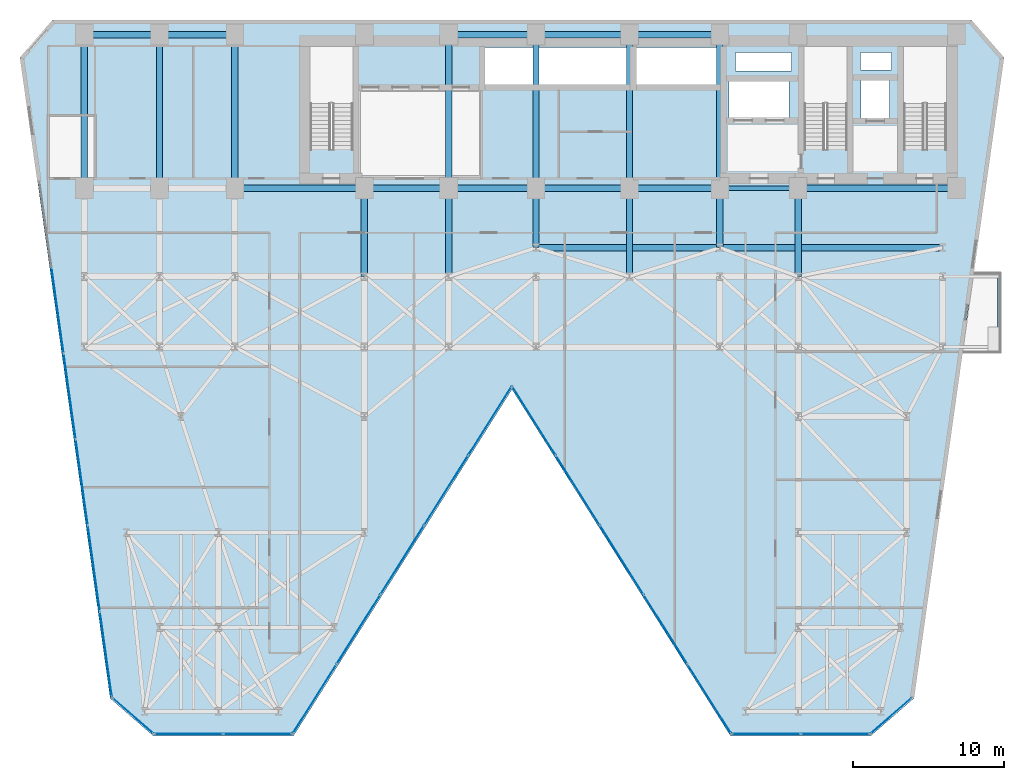
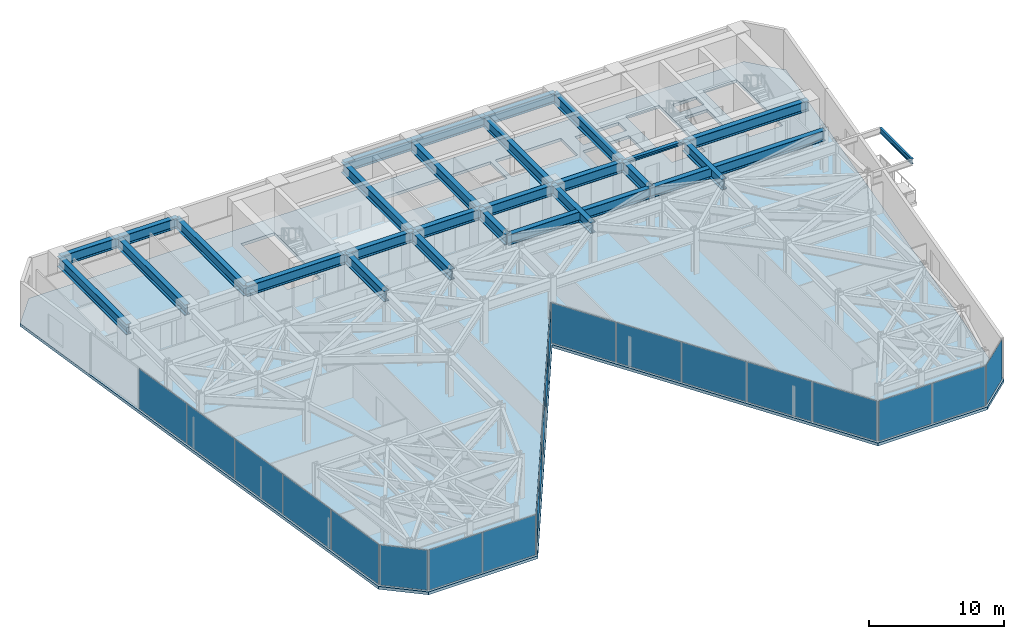
# One storey, part 18 of 24: 28 beams, 21 plates, 1 slab, 7 elements without a shape of their own.
"""IFC4 building model written with IfcOpenShell, lengths in metres."""

from ifc_helpers import new_model, si_unit, direction, frame, origin, origin_2d, place, context, subcontext, project, spatial, polyline, rectangle, i_section, outline, extrude, material, layer, layer_set, material_profile, profile_set, type_object, element, aggregate, save


model = new_model("IFC4")

# Units and contexts
model_context = context("Model", 3, precision=1e-05, world=origin(), true_north=direction((0.0, 1.0)))
body_context = subcontext(model_context, "Body", "Model", "MODEL_VIEW")
ifc_project = project(units=[si_unit("LENGTHUNIT", "METRE"), si_unit("AREAUNIT", "SQUARE_METRE"), si_unit("VOLUMEUNIT", "CUBIC_METRE"), si_unit("PLANEANGLEUNIT", "RADIAN"), si_unit("MASSUNIT", "GRAM", prefix="KILO")], contexts=[model_context])

# Site, building, storey
site_placement = place(None, origin())
site = spatial("IfcSite", under=ifc_project, at=site_placement, CompositionType="ELEMENT")
building_placement = place(site_placement, origin())
building = spatial("IfcBuilding", under=site, at=building_placement, Name="Kravanh Interchange Tower", CompositionType="ELEMENT")
storey_placement = place(building_placement, frame((0.0, 0.0, 53.5)))
storey = spatial("IfcBuildingStorey", under=building, at=storey_placement, Name="L12", CompositionType="ELEMENT", Elevation=53.5)

# Beams
ifc_material_1 = material(Name="Structural Steel S355", Category="steel")
ifc_material_profile_1 = material_profile(ifc_material_1, i_section(OverallWidth=0.41796875, OverallDepth=0.927001953125, WebThickness=0.019287109375, FlangeThickness=0.031982421875, FilletRadius=0.028076171875, at=origin_2d()), Name="W36X231")
ifc_profile_set_1 = profile_set([ifc_material_profile_1], Name="Structural Steel S355")
beam_type_1 = type_object("IfcBeamType", Name="Floor Beam W36X231 Structural Steel S355", PredefinedType="BEAM", material=ifc_profile_set_1)
beam_1_placement = place(storey_placement, frame((66.5, 37.35009765625, 3.276611328125), z_axis=(-1.0, 0.0, 0.0), x_axis=(0.0, -1.0, 0.0)))
element("IfcBeam", 1, at=beam_1_placement, inside=storey, type_object=beam_type_1, Name="L12 Primary Floor Girder 5", PredefinedType="BEAM", context=body_context, shape_type="SweptSolid", body=[
    extrude(i_section(OverallWidth=0.41796875, OverallDepth=0.927001953125, WebThickness=0.019287109375, FlangeThickness=0.031982421875, FilletRadius=0.028076171875, at=origin_2d()), origin(), (0.0, 0.0, 1.0), 10.5),
])
beam_2_placement = place(storey_placement, frame((56.0, 37.35009765625, 3.276611328125), z_axis=(0.0, -1.0, 0.0), x_axis=(1.0, 0.0, 0.0)))
element("IfcBeam", 2, at=beam_2_placement, inside=storey, type_object=beam_type_1, Name="L12 Primary Floor Girder 7", PredefinedType="BEAM", context=body_context, shape_type="SweptSolid", body=[
    extrude(i_section(OverallWidth=0.41796875, OverallDepth=0.927001953125, WebThickness=0.019287109375, FlangeThickness=0.031982421875, FilletRadius=0.028076171875, at=origin_2d()), origin(), (0.0, 0.0, 1.0), 5.85009765625),
])
beam_3_placement = place(storey_placement, frame((50.800048828125, 47.550048828125, 3.276611328125), z_axis=(-1.0, 0.0, 0.0), x_axis=(0.0, -1.0, 0.0)))
element("IfcBeam", 3, at=beam_3_placement, inside=storey, type_object=beam_type_1, Name="L12 Primary Floor Girder 8", PredefinedType="BEAM", context=body_context, shape_type="SweptSolid", body=[
    extrude(i_section(OverallWidth=0.41796875, OverallDepth=0.927001953125, WebThickness=0.019287109375, FlangeThickness=0.031982421875, FilletRadius=0.028076171875, at=origin_2d()), origin(), (0.0, 0.0, 1.0), 6.0),
])
beam_4_placement = place(storey_placement, frame((50.800048828125, 47.550048828125, 3.276611328125), z_axis=(0.0, -1.0, 0.0), x_axis=(1.0, 0.0, 0.0)))
element("IfcBeam", 4, at=beam_4_placement, inside=storey, type_object=beam_type_1, Name="L12 Primary Floor Girder 9", PredefinedType="BEAM", context=body_context, shape_type="SweptSolid", body=[
    extrude(i_section(OverallWidth=0.41796875, OverallDepth=0.927001953125, WebThickness=0.019287109375, FlangeThickness=0.031982421875, FilletRadius=0.028076171875, at=origin_2d()), origin(), (0.0, 0.0, 1.0), 10.199951171875),
])
beam_5_placement = place(storey_placement, frame((50.800048828125, 37.35009765625, 3.276611328125), z_axis=(0.0, -1.0, 0.0), x_axis=(1.0, 0.0, 0.0)))
element("IfcBeam", 5, at=beam_5_placement, inside=storey, type_object=beam_type_1, Name="L12 Primary Floor Girder 10", PredefinedType="BEAM", context=body_context, shape_type="SweptSolid", body=[
    extrude(i_section(OverallWidth=0.41796875, OverallDepth=0.927001953125, WebThickness=0.019287109375, FlangeThickness=0.031982421875, FilletRadius=0.028076171875, at=origin_2d()), origin(), (0.0, 0.0, 1.0), 3.9501953125),
])
beam_6_placement = place(storey_placement, frame((50.800048828125, 37.35009765625, 3.276611328125), z_axis=(-1.0, 0.0, 0.0), x_axis=(0.0, -1.0, 0.0)))
element("IfcBeam", 6, at=beam_6_placement, inside=storey, type_object=beam_type_1, Name="L12 Primary Floor Girder 11", PredefinedType="BEAM", context=body_context, shape_type="SweptSolid", body=[
    extrude(i_section(OverallWidth=0.41796875, OverallDepth=0.927001953125, WebThickness=0.019287109375, FlangeThickness=0.031982421875, FilletRadius=0.028076171875, at=origin_2d()), origin(), (0.0, 0.0, 1.0), 6.0),
])
beam_7_placement = place(storey_placement, frame((44.800048828125, 37.35009765625, 3.276611328125), z_axis=(0.0, -1.0, 0.0), x_axis=(1.0, 0.0, 0.0)))
element("IfcBeam", 7, at=beam_7_placement, inside=storey, type_object=beam_type_1, Name="L12 Primary Floor Girder 12", PredefinedType="BEAM", context=body_context, shape_type="SweptSolid", body=[
    extrude(i_section(OverallWidth=0.41796875, OverallDepth=0.927001953125, WebThickness=0.019287109375, FlangeThickness=0.031982421875, FilletRadius=0.028076171875, at=origin_2d()), origin(), (0.0, 0.0, 1.0), 5.85009765625),
])
beam_8_placement = place(storey_placement, frame((44.800048828125, 37.35009765625, 3.276611328125), z_axis=(-1.0, 0.0, 0.0), x_axis=(0.0, -1.0, 0.0)))
element("IfcBeam", 8, at=beam_8_placement, inside=storey, type_object=beam_type_1, Name="L12 Primary Floor Girder 13", PredefinedType="BEAM", context=body_context, shape_type="SweptSolid", body=[
    extrude(i_section(OverallWidth=0.41796875, OverallDepth=0.927001953125, WebThickness=0.019287109375, FlangeThickness=0.031982421875, FilletRadius=0.028076171875, at=origin_2d()), origin(), (0.0, 0.0, 1.0), 6.199951171875),
])
beam_9_placement = place(storey_placement, frame((44.800048828125, 37.35009765625, 3.276611328125), z_axis=(0.0, 1.0, 0.0), x_axis=(-1.0, 0.0, 0.0)))
element("IfcBeam", 9, at=beam_9_placement, inside=storey, type_object=beam_type_1, Name="L12 Primary Floor Girder 14", PredefinedType="BEAM", context=body_context, shape_type="SweptSolid", body=[
    extrude(i_section(OverallWidth=0.41796875, OverallDepth=0.927001953125, WebThickness=0.019287109375, FlangeThickness=0.031982421875, FilletRadius=0.028076171875, at=origin_2d()), origin(), (0.0, 0.0, 1.0), 10.199951171875),
])
beam_10_placement = place(storey_placement, frame((44.800048828125, 47.550048828125, 3.276611328125), z_axis=(-1.0, 0.0, 0.0), x_axis=(0.0, -1.0, 0.0)))
element("IfcBeam", 10, at=beam_10_placement, inside=storey, type_object=beam_type_1, Name="L12 Primary Floor Girder 15", PredefinedType="BEAM", context=body_context, shape_type="SweptSolid", body=[
    extrude(i_section(OverallWidth=0.41796875, OverallDepth=0.927001953125, WebThickness=0.019287109375, FlangeThickness=0.031982421875, FilletRadius=0.028076171875, at=origin_2d()), origin(), (0.0, 0.0, 1.0), 6.199951171875),
])
beam_11_placement = place(storey_placement, frame((38.60009765625, 37.35009765625, 3.276611328125), z_axis=(0.0, -1.0, 0.0), x_axis=(1.0, 0.0, 0.0)))
element("IfcBeam", 11, at=beam_11_placement, inside=storey, type_object=beam_type_1, Name="L12 Primary Floor Girder 16", PredefinedType="BEAM", context=body_context, shape_type="SweptSolid", body=[
    extrude(i_section(OverallWidth=0.41796875, OverallDepth=0.927001953125, WebThickness=0.019287109375, FlangeThickness=0.031982421875, FilletRadius=0.028076171875, at=origin_2d()), origin(), (0.0, 0.0, 1.0), 3.9501953125),
])
beam_12_placement = place(storey_placement, frame((38.60009765625, 37.35009765625, 3.276611328125), z_axis=(-1.0, 0.0, 0.0), x_axis=(0.0, -1.0, 0.0)))
element("IfcBeam", 12, at=beam_12_placement, inside=storey, type_object=beam_type_1, Name="L12 Primary Floor Girder 17", PredefinedType="BEAM", context=body_context, shape_type="SweptSolid", body=[
    extrude(i_section(OverallWidth=0.41796875, OverallDepth=0.927001953125, WebThickness=0.019287109375, FlangeThickness=0.031982421875, FilletRadius=0.028076171875, at=origin_2d()), origin(), (0.0, 0.0, 1.0), 5.800048828125),
])
beam_13_placement = place(storey_placement, frame((38.60009765625, 37.35009765625, 3.276611328125), z_axis=(0.0, 1.0, 0.0), x_axis=(-1.0, 0.0, 0.0)))
element("IfcBeam", 13, at=beam_13_placement, inside=storey, type_object=beam_type_1, Name="L12 Primary Floor Girder 18", PredefinedType="BEAM", context=body_context, shape_type="SweptSolid", body=[
    extrude(i_section(OverallWidth=0.41796875, OverallDepth=0.927001953125, WebThickness=0.019287109375, FlangeThickness=0.031982421875, FilletRadius=0.028076171875, at=origin_2d()), origin(), (0.0, 0.0, 1.0), 10.199951171875),
])
beam_14_placement = place(storey_placement, frame((38.60009765625, 47.550048828125, 3.276611328125), z_axis=(-1.0, 0.0, 0.0), x_axis=(0.0, -1.0, 0.0)))
element("IfcBeam", 14, at=beam_14_placement, inside=storey, type_object=beam_type_1, Name="L12 Primary Floor Girder 19", PredefinedType="BEAM", context=body_context, shape_type="SweptSolid", body=[
    extrude(i_section(OverallWidth=0.41796875, OverallDepth=0.927001953125, WebThickness=0.019287109375, FlangeThickness=0.031982421875, FilletRadius=0.028076171875, at=origin_2d()), origin(), (0.0, 0.0, 1.0), 5.800048828125),
])
beam_15_placement = place(storey_placement, frame((32.800048828125, 37.35009765625, 3.276611328125), z_axis=(-1.0, 0.0, 0.0), x_axis=(0.0, -1.0, 0.0)))
element("IfcBeam", 15, at=beam_15_placement, inside=storey, type_object=beam_type_1, Name="L12 Primary Floor Girder 20", PredefinedType="BEAM", context=body_context, shape_type="SweptSolid", body=[
    extrude(i_section(OverallWidth=0.41796875, OverallDepth=0.927001953125, WebThickness=0.019287109375, FlangeThickness=0.031982421875, FilletRadius=0.028076171875, at=origin_2d()), origin(), (0.0, 0.0, 1.0), 5.60009765625),
])
beam_16_placement = place(storey_placement, frame((32.800048828125, 37.35009765625, 3.276611328125), z_axis=(0.0, -1.0, 0.0), x_axis=(1.0, 0.0, 0.0)))
element("IfcBeam", 16, at=beam_16_placement, inside=storey, type_object=beam_type_1, Name="L12 Primary Floor Girder 21", PredefinedType="BEAM", context=body_context, shape_type="SweptSolid", body=[
    extrude(i_section(OverallWidth=0.41796875, OverallDepth=0.927001953125, WebThickness=0.019287109375, FlangeThickness=0.031982421875, FilletRadius=0.028076171875, at=origin_2d()), origin(), (0.0, 0.0, 1.0), 5.85009765625),
])
beam_17_placement = place(storey_placement, frame((32.800048828125, 37.35009765625, 3.276611328125), z_axis=(0.0, 1.0, 0.0), x_axis=(-1.0, 0.0, 0.0)))
element("IfcBeam", 17, at=beam_17_placement, inside=storey, type_object=beam_type_1, Name="L12 Primary Floor Girder 22", PredefinedType="BEAM", context=body_context, shape_type="SweptSolid", body=[
    extrude(i_section(OverallWidth=0.41796875, OverallDepth=0.927001953125, WebThickness=0.019287109375, FlangeThickness=0.031982421875, FilletRadius=0.028076171875, at=origin_2d()), origin(), (0.0, 0.0, 1.0), 10.199951171875),
])
beam_18_placement = place(storey_placement, frame((27.199951171875, 37.35009765625, 3.276611328125), z_axis=(0.0, -1.0, 0.0), x_axis=(1.0, 0.0, 0.0)))
element("IfcBeam", 18, at=beam_18_placement, inside=storey, type_object=beam_type_1, Name="L12 Primary Floor Girder 24", PredefinedType="BEAM", context=body_context, shape_type="SweptSolid", body=[
    extrude(i_section(OverallWidth=0.41796875, OverallDepth=0.927001953125, WebThickness=0.019287109375, FlangeThickness=0.031982421875, FilletRadius=0.028076171875, at=origin_2d()), origin(), (0.0, 0.0, 1.0), 5.85009765625),
])
beam_19_placement = place(storey_placement, frame((27.199951171875, 37.35009765625, 3.276611328125), z_axis=(-1.0, 0.0, 0.0), x_axis=(0.0, -1.0, 0.0)))
element("IfcBeam", 19, at=beam_19_placement, inside=storey, type_object=beam_type_1, Name="L12 Primary Floor Girder 25", PredefinedType="BEAM", context=body_context, shape_type="SweptSolid", body=[
    extrude(i_section(OverallWidth=0.41796875, OverallDepth=0.927001953125, WebThickness=0.019287109375, FlangeThickness=0.031982421875, FilletRadius=0.028076171875, at=origin_2d()), origin(), (0.0, 0.0, 1.0), 8.599853515625),
])
beam_20_placement = place(storey_placement, frame((18.60009765625, 37.35009765625, 3.276611328125), z_axis=(0.0, 1.0, 0.0), x_axis=(-1.0, 0.0, 0.0)))
element("IfcBeam", 20, at=beam_20_placement, inside=storey, type_object=beam_type_1, Name="L12 Primary Floor Girder 30", PredefinedType="BEAM", context=body_context, shape_type="SweptSolid", body=[
    extrude(i_section(OverallWidth=0.41796875, OverallDepth=0.927001953125, WebThickness=0.019287109375, FlangeThickness=0.031982421875, FilletRadius=0.028076171875, at=origin_2d()), origin(), (0.0, 0.0, 1.0), 10.199951171875),
])
beam_21_placement = place(storey_placement, frame((18.60009765625, 47.550048828125, 3.276611328125), z_axis=(-1.0, 0.0, 0.0), x_axis=(0.0, -1.0, 0.0)))
element("IfcBeam", 21, at=beam_21_placement, inside=storey, type_object=beam_type_1, Name="L12 Primary Floor Girder 31", PredefinedType="BEAM", context=body_context, shape_type="SweptSolid", body=[
    extrude(i_section(OverallWidth=0.41796875, OverallDepth=0.927001953125, WebThickness=0.019287109375, FlangeThickness=0.031982421875, FilletRadius=0.028076171875, at=origin_2d()), origin(), (0.0, 0.0, 1.0), 5.0),
])
beam_22_placement = place(storey_placement, frame((13.60009765625, 37.35009765625, 3.276611328125), z_axis=(0.0, 1.0, 0.0), x_axis=(-1.0, 0.0, 0.0)))
element("IfcBeam", 22, at=beam_22_placement, inside=storey, type_object=beam_type_1, Name="L12 Primary Floor Girder 34", PredefinedType="BEAM", context=body_context, shape_type="SweptSolid", body=[
    extrude(i_section(OverallWidth=0.41796875, OverallDepth=0.927001953125, WebThickness=0.019287109375, FlangeThickness=0.031982421875, FilletRadius=0.028076171875, at=origin_2d()), origin(), (0.0, 0.0, 1.0), 10.199951171875),
])
beam_23_placement = place(storey_placement, frame((13.60009765625, 47.550048828125, 3.276611328125), z_axis=(-1.0, 0.0, 0.0), x_axis=(0.0, -1.0, 0.0)))
element("IfcBeam", 23, at=beam_23_placement, inside=storey, type_object=beam_type_1, Name="L12 Primary Floor Girder 35", PredefinedType="BEAM", context=body_context, shape_type="SweptSolid", body=[
    extrude(i_section(OverallWidth=0.41796875, OverallDepth=0.927001953125, WebThickness=0.019287109375, FlangeThickness=0.031982421875, FilletRadius=0.028076171875, at=origin_2d()), origin(), (0.0, 0.0, 1.0), 5.0),
])
beam_24_placement = place(storey_placement, frame((8.60009765625, 37.35009765625, 3.276611328125), z_axis=(0.0, 1.0, 0.0), x_axis=(-1.0, 0.0, 0.0)))
element("IfcBeam", 24, at=beam_24_placement, inside=storey, type_object=beam_type_1, Name="L12 Primary Floor Girder 37", PredefinedType="BEAM", context=body_context, shape_type="SweptSolid", body=[
    extrude(i_section(OverallWidth=0.41796875, OverallDepth=0.927001953125, WebThickness=0.019287109375, FlangeThickness=0.031982421875, FilletRadius=0.028076171875, at=origin_2d()), origin(), (0.0, 0.0, 1.0), 10.199951171875),
])
beam_25_placement = place(storey_placement, frame((38.60009765625, 33.39990234375, 3.276611328125), z_axis=(1.0, 0.0, 0.0), x_axis=(0.0, 1.0, 0.0)))
element("IfcBeam", 25, at=beam_25_placement, inside=storey, type_object=beam_type_1, Name="L12 Primary Floor Girder 145", PredefinedType="BEAM", context=body_context, shape_type="SweptSolid", body=[
    extrude(i_section(OverallWidth=0.41796875, OverallDepth=0.927001953125, WebThickness=0.019287109375, FlangeThickness=0.031982421875, FilletRadius=0.028076171875, at=origin_2d()), origin(), (0.0, 0.0, 1.0), 12.199951171875),
])
beam_26_placement = place(storey_placement, frame((50.800048828125, 33.39990234375, 3.276611328125), z_axis=(1.0, 0.0, 0.0), x_axis=(0.0, 1.0, 0.0)))
element("IfcBeam", 26, at=beam_26_placement, inside=storey, type_object=beam_type_1, Name="L12 Primary Floor Girder 146", PredefinedType="BEAM", context=body_context, shape_type="SweptSolid", body=[
    extrude(i_section(OverallWidth=0.41796875, OverallDepth=0.927001953125, WebThickness=0.019287109375, FlangeThickness=0.031982421875, FilletRadius=0.028076171875, at=origin_2d()), origin(), (0.0, 0.0, 1.0), 14.800048828125),
])
ifc_material_2 = material(Name="Structural Steel S355", Category="steel")
ifc_material_profile_2 = material_profile(ifc_material_2, i_section(OverallWidth=0.18994140625, OverallDepth=0.45703125, WebThickness=0.009033203125, FlangeThickness=0.014404296875, FilletRadius=0.01806640625, at=origin_2d()), Name="W18X50")
ifc_profile_set_2 = profile_set([ifc_material_profile_2], Name="Structural Steel S355")
beam_type_2 = type_object("IfcBeamType", Name="Floor Joist W18X50 Structural Steel S355", PredefinedType="JOIST", material=ifc_profile_set_2)
beam_27_placement = place(storey_placement, frame((69.330078125, 26.800048828125, 3.511474609375), z_axis=(0.0, 1.0, 0.0), x_axis=(-1.0, 0.0, 0.0)))
element("IfcBeam", 27, at=beam_27_placement, inside=storey, type_object=beam_type_2, Name="L12 Balcony Edge Tie Beam E", PredefinedType="JOIST", context=body_context, shape_type="SweptSolid", body=[
    extrude(i_section(OverallWidth=0.18994140625, OverallDepth=0.45703125, WebThickness=0.009033203125, FlangeThickness=0.014404296875, FilletRadius=0.01806640625, at=origin_2d()), origin(), (0.0, 0.0, 1.0), 4.699951171875),
])
ifc_material_3 = material(Name="Structural Steel S355", Category="steel")
ifc_material_profile_3 = material_profile(ifc_material_3, i_section(OverallWidth=0.304931640625, OverallDepth=0.306884765625, WebThickness=0.010009765625, FlangeThickness=0.015380859375, FilletRadius=0.014892578125, at=origin_2d()), Name="W12X65")
ifc_profile_set_3 = profile_set([ifc_material_profile_3], Name="Structural Steel S355")
beam_type_3 = type_object("IfcBeamType", Name="Floor Lintel W12X65 Structural Steel S355", PredefinedType="LINTEL", material=ifc_profile_set_3)
beam_28_placement = place(storey_placement, frame((50.800048828125, 37.35009765625, 3.58642578125), z_axis=(1.0, 0.0, 0.0), x_axis=(0.0, 1.0, 0.0)))
element("IfcBeam", 28, at=beam_28_placement, inside=storey, type_object=beam_type_3, Name="L12 Core Coupling Lintel 1", PredefinedType="LINTEL", context=body_context, shape_type="SweptSolid", body=[
    extrude(i_section(OverallWidth=0.304931640625, OverallDepth=0.306884765625, WebThickness=0.010009765625, FlangeThickness=0.015380859375, FilletRadius=0.014892578125, at=origin_2d()), origin(), (0.0, 0.0, 1.0), 5.199951171875),
])

# Slab
ifc_material_4 = material(Name="Concrete C50/60", Category="concrete")
ifc_layer_1 = layer(ifc_material_4, 0.260009765625)
ifc_layer_set_1 = layer_set([ifc_layer_1], Name="Composite Floor Slab Concrete C50/60 260mm")
slab_type = type_object("IfcSlabType", Name="Composite Floor Slab Concrete C50/60 260mm", PredefinedType="FLOOR", material=ifc_layer_set_1)
slab_placement = place(storey_placement, frame((0.0, 0.0, -0.260009765625)))
element("IfcSlab", 29, at=slab_placement, inside=storey, type_object=slab_type, Name="L12 Structural Floor Slab", PredefinedType="FLOOR", context=body_context, shape_type="SweptSolid", body=[
    extrude(outline(polyline([(10.327880859375, 3.4755859375), (13.17578125, 1.0), (22.5, 1.0), (37.0, 24.0), (51.5, 1.0), (60.82421875, 1.0), (63.672119140625, 3.4755859375), (69.652099609375, 46.0244140625), (67.5, 48.5), (6.5, 48.5), (4.347900390625, 46.0244140625), (10.327880859375, 3.4755859375)]), holes=[polyline([(65.85009765625, 39.925048828125), (65.85009765625, 46.75), (63.0, 46.75), (63.0, 39.925048828125), (65.85009765625, 39.925048828125)]), polyline([(59.25, 39.925048828125), (59.25, 46.75), (56.39990234375, 46.75), (56.39990234375, 39.925048828125), (59.25, 39.925048828125)]), polyline([(26.449951171875, 39.925048828125), (26.449951171875, 46.75), (23.60009765625, 46.75), (23.60009765625, 39.925048828125), (26.449951171875, 39.925048828125)]), polyline([(35.179931640625, 44.219970703125), (44.840087890625, 44.219970703125), (44.840087890625, 46.699951171875), (35.179931640625, 46.699951171875), (35.179931640625, 44.219970703125)]), polyline([(45.239990234375, 44.219970703125), (50.840087890625, 44.219970703125), (50.840087890625, 46.699951171875), (45.239990234375, 46.699951171875), (45.239990234375, 44.219970703125)]), polyline([(51.419921875, 42.02001953125), (55.3798828125, 42.02001953125), (55.3798828125, 44.47998046875), (51.419921875, 44.47998046875), (51.419921875, 42.02001953125)]), polyline([(60.179931640625, 41.97998046875), (62.06005859375, 41.97998046875), (62.06005859375, 44.52001953125), (60.179931640625, 44.52001953125), (60.179931640625, 41.97998046875)]), polyline([(60.14990234375, 45.199951171875), (62.199951171875, 45.199951171875), (62.199951171875, 46.35009765625), (60.14990234375, 46.35009765625), (60.14990234375, 45.199951171875)]), polyline([(51.85009765625, 45.14990234375), (55.550048828125, 45.14990234375), (55.550048828125, 46.35009765625), (51.85009765625, 46.35009765625), (51.85009765625, 45.14990234375)])]), origin(), (0.0, 0.0, 1.0), 0.260009765625),
])

# Curtain wall, plates
ifc_material_5 = material(Name="Anodised Bronze Aluminium", Category="aluminium")
ifc_layer_2 = layer(ifc_material_5, 0.179931640625)
ifc_layer_set_2 = layer_set([ifc_layer_2], Name="Unitised Curtain Wall System CW-Z1 Lower Office")
curtain_wall_type = type_object("IfcCurtainWallType", Name="Unitised Curtain Wall System CW-Z1 Lower Office", PredefinedType="NOTDEFINED", material=ifc_layer_set_2)
curtain_wall_1_placement = place(storey_placement, origin())
curtain_wall_1 = element("IfcCurtainWall", 30, at=curtain_wall_1_placement, inside=storey, type_object=curtain_wall_type, Name="L12 Unitised Curtain Wall CW-L12-01", PredefinedType="NOTDEFINED")
ifc_material_6 = material(Name="Low-E Laminated Architectural Glass", Category="glass")
ifc_layer_3 = layer(ifc_material_6, 0.028076171875)
ifc_layer_set_3 = layer_set([ifc_layer_3], Name="Solar-Control Double Glazing 28mm")
plate_type = type_object("IfcPlateType", Name="Solar-Control Double Glazing 28mm", PredefinedType="CURTAIN_PANEL", material=ifc_layer_set_3)
plate_1_placement = place(storey_placement, frame((10.03662109375, 6.409423828125, 0.06005859375), z_axis=(0.0, 0.0, 1.0), x_axis=(-0.139176538065, 0.990267585682, 0.0)))
plate_1 = element("IfcPlate", 31, at=plate_1_placement, type_object=plate_type, Name="CW-Z1 panel 1.1", PredefinedType="CURTAIN_PANEL", context=body_context, shape_type="SweptSolid", body=[
    extrude(rectangle(XDim=5.66162109375, YDim=0.028076171875, at=origin_2d()), origin(), (0.0, 0.0, 1.0), 3.6201171875),
])
plate_2_placement = place(storey_placement, frame((9.236572265625, 12.1025390625, 0.06005859375), z_axis=(0.0, 0.0, 1.0), x_axis=(-0.139176538065, 0.990267585682, 0.0)))
plate_2 = element("IfcPlate", 32, at=plate_2_placement, type_object=plate_type, Name="CW-Z1 panel 2.1", PredefinedType="CURTAIN_PANEL", context=body_context, shape_type="SweptSolid", body=[
    extrude(rectangle(XDim=5.69677734375, YDim=0.028076171875, at=origin_2d()), origin(), (0.0, 0.0, 1.0), 3.6201171875),
])
plate_3_placement = place(storey_placement, frame((8.433837890625, 17.813232421875, 0.06005859375), z_axis=(0.0, 0.0, 1.0), x_axis=(-0.139176538065, 0.990267585682, 0.0)))
plate_3 = element("IfcPlate", 33, at=plate_3_placement, type_object=plate_type, Name="CW-Z1 panel 3.1", PredefinedType="CURTAIN_PANEL", context=body_context, shape_type="SweptSolid", body=[
    extrude(rectangle(XDim=5.69677734375, YDim=0.028076171875, at=origin_2d()), origin(), (0.0, 0.0, 1.0), 3.6201171875),
])
plate_4_placement = place(storey_placement, frame((7.63134765625, 23.523681640625, 0.06005859375), z_axis=(0.0, 0.0, 1.0), x_axis=(-0.139176538065, 0.990267585682, 0.0)))
plate_4 = element("IfcPlate", 34, at=plate_4_placement, type_object=plate_type, Name="CW-Z1 panel 4.1", PredefinedType="CURTAIN_PANEL", context=body_context, shape_type="SweptSolid", body=[
    extrude(rectangle(XDim=5.69677734375, YDim=0.028076171875, at=origin_2d()), origin(), (0.0, 0.0, 1.0), 3.6201171875),
])
plate_5_placement = place(storey_placement, frame((6.828857421875, 29.234130859375, 0.06005859375), z_axis=(0.0, 0.0, 1.0), x_axis=(-0.139176538065, 0.990267585682, 0.0)))
plate_5 = element("IfcPlate", 35, at=plate_5_placement, type_object=plate_type, Name="CW-Z1 panel 5.1", PredefinedType="CURTAIN_PANEL", context=body_context, shape_type="SweptSolid", body=[
    extrude(rectangle(XDim=5.69677734375, YDim=0.028076171875, at=origin_2d()), origin(), (0.0, 0.0, 1.0), 3.6201171875),
])
aggregate(curtain_wall_1, [plate_1, plate_2, plate_3, plate_4, plate_5])

# Curtain wall, plate
curtain_wall_2_placement = place(storey_placement, origin())
curtain_wall_2 = element("IfcCurtainWall", 36, at=curtain_wall_2_placement, inside=storey, type_object=curtain_wall_type, Name="L12 Unitised Curtain Wall CW-L12-02", PredefinedType="NOTDEFINED")
plate_6_placement = place(storey_placement, frame((62.16943359375, 2.328369140625, 0.06005859375), z_axis=(0.0, 0.0, 1.0), x_axis=(-0.754708368999, -0.656060422341, 0.0)))
plate_6 = element("IfcPlate", 37, at=plate_6_placement, type_object=plate_type, Name="CW-Z1 panel 1.1", PredefinedType="CURTAIN_PANEL", context=body_context, shape_type="SweptSolid", body=[
    extrude(rectangle(XDim=3.543701171875, YDim=0.028076171875, at=origin_2d()), origin(), (0.0, 0.0, 1.0), 3.6201171875),
])
aggregate(curtain_wall_2, [plate_6])

# Curtain wall, plates
curtain_wall_3_placement = place(storey_placement, origin())
curtain_wall_3 = element("IfcCurtainWall", 38, at=curtain_wall_3_placement, inside=storey, type_object=curtain_wall_type, Name="L12 Unitised Curtain Wall CW-L12-03", PredefinedType="NOTDEFINED")
plate_7_placement = place(storey_placement, frame((58.45849609375, 1.1201171875, 0.06005859375), z_axis=(0.0, 0.0, 1.0), x_axis=(-1.0, 0.0, 0.0)))
plate_7 = element("IfcPlate", 39, at=plate_7_placement, type_object=plate_type, Name="CW-Z1 panel 1.1", PredefinedType="CURTAIN_PANEL", context=body_context, shape_type="SweptSolid", body=[
    extrude(rectangle(XDim=4.501708984375, YDim=0.028076171875, at=origin_2d()), origin(), (0.0, 0.0, 1.0), 3.6201171875),
])
plate_8_placement = place(storey_placement, frame((53.886962890625, 1.1201171875, 0.06005859375), z_axis=(0.0, 0.0, 1.0), x_axis=(-1.0, 0.0, 0.0)))
plate_8 = element("IfcPlate", 40, at=plate_8_placement, type_object=plate_type, Name="CW-Z1 panel 2.1", PredefinedType="CURTAIN_PANEL", context=body_context, shape_type="SweptSolid", body=[
    extrude(rectangle(XDim=4.501708984375, YDim=0.028076171875, at=origin_2d()), origin(), (0.0, 0.0, 1.0), 3.6201171875),
])
aggregate(curtain_wall_3, [plate_7, plate_8])

curtain_wall_4_placement = place(storey_placement, origin())
curtain_wall_4 = element("IfcCurtainWall", 41, at=curtain_wall_4_placement, inside=storey, type_object=curtain_wall_type, Name="L12 Unitised Curtain Wall CW-L12-04", PredefinedType="NOTDEFINED")
plate_9_placement = place(storey_placement, frame((50.100341796875, 3.4453125, 0.06005859375), z_axis=(0.0, 0.0, 1.0), x_axis=(-0.53330103728, 0.845925530786, 0.0)))
plate_9 = element("IfcPlate", 42, at=plate_9_placement, type_object=plate_type, Name="CW-Z1 panel 1.1", PredefinedType="CURTAIN_PANEL", context=body_context, shape_type="SweptSolid", body=[
    extrude(rectangle(XDim=5.357666015625, YDim=0.028076171875, at=origin_2d()), origin(), (0.0, 0.0, 1.0), 3.6201171875),
])
plate_10_placement = place(storey_placement, frame((47.1962890625, 8.051513671875, 0.06005859375), z_axis=(0.0, 0.0, 1.0), x_axis=(-0.53330103728, 0.845925530786, 0.0)))
plate_10 = element("IfcPlate", 43, at=plate_10_placement, type_object=plate_type, Name="CW-Z1 panel 2.1", PredefinedType="CURTAIN_PANEL", context=body_context, shape_type="SweptSolid", body=[
    extrude(rectangle(XDim=5.392578125, YDim=0.028076171875, at=origin_2d()), origin(), (0.0, 0.0, 1.0), 3.6201171875),
])
plate_11_placement = place(storey_placement, frame((44.283203125, 12.672607421875, 0.06005859375), z_axis=(0.0, 0.0, 1.0), x_axis=(-0.53330103728, 0.845925530786, 0.0)))
plate_11 = element("IfcPlate", 44, at=plate_11_placement, type_object=plate_type, Name="CW-Z1 panel 3.1", PredefinedType="CURTAIN_PANEL", context=body_context, shape_type="SweptSolid", body=[
    extrude(rectangle(XDim=5.392578125, YDim=0.028076171875, at=origin_2d()), origin(), (0.0, 0.0, 1.0), 3.6201171875),
])
plate_12_placement = place(storey_placement, frame((41.369873046875, 17.29345703125, 0.06005859375), z_axis=(0.0, 0.0, 1.0), x_axis=(-0.53330103728, 0.845925530786, 0.0)))
plate_12 = element("IfcPlate", 45, at=plate_12_placement, type_object=plate_type, Name="CW-Z1 panel 4.1", PredefinedType="CURTAIN_PANEL", context=body_context, shape_type="SweptSolid", body=[
    extrude(rectangle(XDim=5.392578125, YDim=0.028076171875, at=origin_2d()), origin(), (0.0, 0.0, 1.0), 3.6201171875),
])
plate_13_placement = place(storey_placement, frame((38.466064453125, 21.899658203125, 0.06005859375), z_axis=(0.0, 0.0, 1.0), x_axis=(-0.53330103728, 0.845925530786, 0.0)))
plate_13 = element("IfcPlate", 46, at=plate_13_placement, type_object=plate_type, Name="CW-Z1 panel 5.1", PredefinedType="CURTAIN_PANEL", context=body_context, shape_type="SweptSolid", body=[
    extrude(rectangle(XDim=5.357666015625, YDim=0.028076171875, at=origin_2d()), origin(), (0.0, 0.0, 1.0), 3.6201171875),
])
aggregate(curtain_wall_4, [plate_9, plate_10, plate_11, plate_12, plate_13])

curtain_wall_5_placement = place(storey_placement, origin())
curtain_wall_5 = element("IfcCurtainWall", 47, at=curtain_wall_5_placement, inside=storey, type_object=curtain_wall_type, Name="L12 Unitised Curtain Wall CW-L12-05", PredefinedType="NOTDEFINED")
plate_14_placement = place(storey_placement, frame((35.533935546875, 21.899658203125, 0.06005859375), z_axis=(0.0, 0.0, 1.0), x_axis=(-0.53330103728, -0.845925530786, 0.0)))
plate_14 = element("IfcPlate", 48, at=plate_14_placement, type_object=plate_type, Name="CW-Z1 panel 1.1", PredefinedType="CURTAIN_PANEL", context=body_context, shape_type="SweptSolid", body=[
    extrude(rectangle(XDim=5.357666015625, YDim=0.028076171875, at=origin_2d()), origin(), (0.0, 0.0, 1.0), 3.6201171875),
])
plate_15_placement = place(storey_placement, frame((32.630126953125, 17.29345703125, 0.06005859375), z_axis=(0.0, 0.0, 1.0), x_axis=(-0.53330103728, -0.845925530786, 0.0)))
plate_15 = element("IfcPlate", 49, at=plate_15_placement, type_object=plate_type, Name="CW-Z1 panel 2.1", PredefinedType="CURTAIN_PANEL", context=body_context, shape_type="SweptSolid", body=[
    extrude(rectangle(XDim=5.392578125, YDim=0.028076171875, at=origin_2d()), origin(), (0.0, 0.0, 1.0), 3.6201171875),
])
plate_16_placement = place(storey_placement, frame((29.716796875, 12.672607421875, 0.06005859375), z_axis=(0.0, 0.0, 1.0), x_axis=(-0.53330103728, -0.845925530786, 0.0)))
plate_16 = element("IfcPlate", 50, at=plate_16_placement, type_object=plate_type, Name="CW-Z1 panel 3.1", PredefinedType="CURTAIN_PANEL", context=body_context, shape_type="SweptSolid", body=[
    extrude(rectangle(XDim=5.392578125, YDim=0.028076171875, at=origin_2d()), origin(), (0.0, 0.0, 1.0), 3.6201171875),
])
plate_17_placement = place(storey_placement, frame((26.8037109375, 8.051513671875, 0.06005859375), z_axis=(0.0, 0.0, 1.0), x_axis=(-0.53330103728, -0.845925530786, 0.0)))
plate_17 = element("IfcPlate", 51, at=plate_17_placement, type_object=plate_type, Name="CW-Z1 panel 4.1", PredefinedType="CURTAIN_PANEL", context=body_context, shape_type="SweptSolid", body=[
    extrude(rectangle(XDim=5.392578125, YDim=0.028076171875, at=origin_2d()), origin(), (0.0, 0.0, 1.0), 3.6201171875),
])
plate_18_placement = place(storey_placement, frame((23.899658203125, 3.4453125, 0.06005859375), z_axis=(0.0, 0.0, 1.0), x_axis=(-0.53330103728, -0.845925530786, 0.0)))
plate_18 = element("IfcPlate", 52, at=plate_18_placement, type_object=plate_type, Name="CW-Z1 panel 5.1", PredefinedType="CURTAIN_PANEL", context=body_context, shape_type="SweptSolid", body=[
    extrude(rectangle(XDim=5.357666015625, YDim=0.028076171875, at=origin_2d()), origin(), (0.0, 0.0, 1.0), 3.6201171875),
])
aggregate(curtain_wall_5, [plate_14, plate_15, plate_16, plate_17, plate_18])

curtain_wall_6_placement = place(storey_placement, origin())
curtain_wall_6 = element("IfcCurtainWall", 53, at=curtain_wall_6_placement, inside=storey, type_object=curtain_wall_type, Name="L12 Unitised Curtain Wall CW-L12-06", PredefinedType="NOTDEFINED")
plate_19_placement = place(storey_placement, frame((20.113037109375, 1.1201171875, 0.06005859375), z_axis=(0.0, 0.0, 1.0), x_axis=(-1.0, 0.0, 0.0)))
plate_19 = element("IfcPlate", 54, at=plate_19_placement, type_object=plate_type, Name="CW-Z1 panel 1.1", PredefinedType="CURTAIN_PANEL", context=body_context, shape_type="SweptSolid", body=[
    extrude(rectangle(XDim=4.501708984375, YDim=0.028076171875, at=origin_2d()), origin(), (0.0, 0.0, 1.0), 3.6201171875),
])
plate_20_placement = place(storey_placement, frame((15.54150390625, 1.1201171875, 0.06005859375), z_axis=(0.0, 0.0, 1.0), x_axis=(-1.0, 0.0, 0.0)))
plate_20 = element("IfcPlate", 55, at=plate_20_placement, type_object=plate_type, Name="CW-Z1 panel 2.1", PredefinedType="CURTAIN_PANEL", context=body_context, shape_type="SweptSolid", body=[
    extrude(rectangle(XDim=4.501708984375, YDim=0.028076171875, at=origin_2d()), origin(), (0.0, 0.0, 1.0), 3.6201171875),
])
aggregate(curtain_wall_6, [plate_19, plate_20])

# Curtain wall, plate
curtain_wall_7_placement = place(storey_placement, origin())
curtain_wall_7 = element("IfcCurtainWall", 56, at=curtain_wall_7_placement, inside=storey, type_object=curtain_wall_type, Name="L12 Unitised Curtain Wall CW-L12-07", PredefinedType="NOTDEFINED")
plate_21_placement = place(storey_placement, frame((11.83056640625, 2.328369140625, 0.06005859375), z_axis=(0.0, 0.0, 1.0), x_axis=(-0.754708368999, 0.656060422341, 0.0)))
plate_21 = element("IfcPlate", 57, at=plate_21_placement, type_object=plate_type, Name="CW-Z1 panel 1.1", PredefinedType="CURTAIN_PANEL", context=body_context, shape_type="SweptSolid", body=[
    extrude(rectangle(XDim=3.543701171875, YDim=0.028076171875, at=origin_2d()), origin(), (0.0, 0.0, 1.0), 3.6201171875),
])
aggregate(curtain_wall_7, [plate_21])

save(model, "model.ifc")
